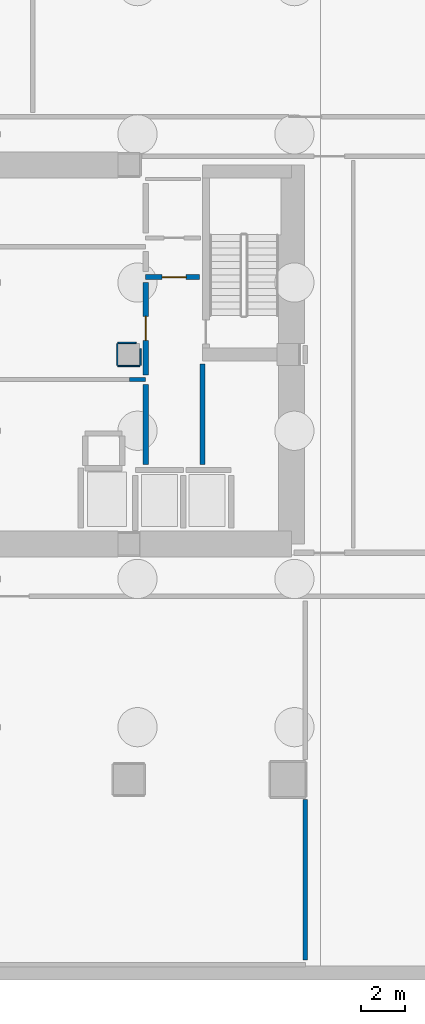
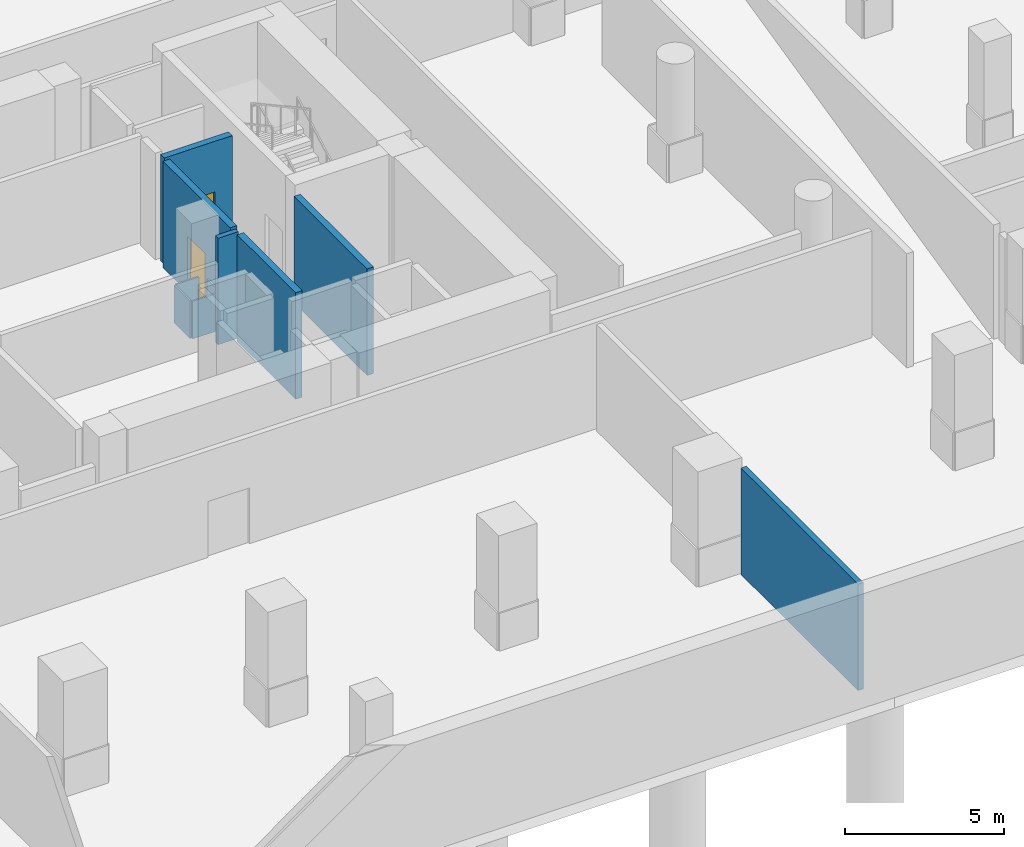
# One storey, part 4 of 13: 10 walls, 2 doors, 2 openings.
"""IFC4 building model written with IfcOpenShell, lengths in metres."""

from ifc_helpers import new_model, si_unit, direction, frame, frame_2d, origin, place, context, subcontext, project, spatial, rectangle, extrude, material, layer, layer_set, type_object, element, fill, save


model = new_model("IFC4")

# Units and contexts
model_context = context("Model", 3, precision=1e-05, world=origin(), true_north=direction((0.0, 1.0)))
body_context = subcontext(model_context, "Body", "Model", "MODEL_VIEW")
ifc_project = project(units=[si_unit("LENGTHUNIT", "METRE"), si_unit("AREAUNIT", "SQUARE_METRE"), si_unit("VOLUMEUNIT", "CUBIC_METRE"), si_unit("PLANEANGLEUNIT", "RADIAN"), si_unit("MASSUNIT", "GRAM", prefix="KILO")], contexts=[model_context])

# Site, building, storey
site_placement = place(None, origin())
site = spatial("IfcSite", under=ifc_project, at=site_placement, CompositionType="ELEMENT")
building_placement = place(site_placement, origin())
building = spatial("IfcBuilding", under=site, at=building_placement, Name="Solanera Arch Residences", CompositionType="ELEMENT")
storey_placement = place(building_placement, frame((0.0, 0.0, -13.199951171875)))
storey = spatial("IfcBuildingStorey", under=building, at=storey_placement, Name="B03", CompositionType="ELEMENT", Elevation=-13.199951171875)

# Walls
ifc_material_1 = material(Name="Fire-Rated Gypsum Stud Partition", Category="gypsum")
ifc_layer_1 = layer(ifc_material_1, 0.06005859375)
ifc_layer_set_1 = layer_set([ifc_layer_1], Name="Fire-Rated Gypsum Stud Partition")
wall_type_1 = type_object("IfcWallType", Name="Column Acoustic Furring Wall 60", PredefinedType="PARTITIONING", material=ifc_layer_set_1)
wall_1_placement = place(storey_placement, frame((28.699951171875, 30.16796875, 0.0), z_axis=(0.0, 0.0, 1.0), x_axis=(1.0, 0.0, 0.0)))
element("IfcWall", 1, at=wall_1_placement, inside=storey, type_object=wall_type_1, Name="B03 Column Furring 8S", PredefinedType="PARTITIONING", context=body_context, shape_type="SweptSolid", body=[
    extrude(rectangle(XDim=1.0, YDim=0.06005859375, at=frame_2d((0.5, 0.0))), origin(), (0.0, 0.0, 1.0), 1.449951171875),
])
wall_2_placement = place(storey_placement, frame((28.699951171875, 31.23193359375, 0.0), z_axis=(0.0, 0.0, 1.0), x_axis=(1.0, 0.0, 0.0)))
element("IfcWall", 2, at=wall_2_placement, inside=storey, type_object=wall_type_1, Name="B03 Column Furring 8N", PredefinedType="PARTITIONING", context=body_context, shape_type="SweptSolid", body=[
    extrude(rectangle(XDim=0.841064453125, YDim=0.06005859375, at=frame_2d((0.42041015625, 0.0))), origin(), (0.0, 0.0, 1.0), 1.449951171875),
])
wall_3_placement = place(storey_placement, frame((28.66796875, 30.199951171875, 0.0), z_axis=(0.0, 0.0, 1.0), x_axis=(0.0, 1.0, 0.0)))
element("IfcWall", 3, at=wall_3_placement, inside=storey, type_object=wall_type_1, Name="B03 Column Furring 8W", PredefinedType="PARTITIONING", context=body_context, shape_type="SweptSolid", body=[
    extrude(rectangle(XDim=1.0, YDim=0.06005859375, at=frame_2d((0.5, 0.0))), origin(), (0.0, 0.0, 1.0), 1.449951171875),
])
wall_4_placement = place(storey_placement, frame((29.73193359375, 30.199951171875, 0.0), z_axis=(0.0, 0.0, 1.0), x_axis=(0.0, 1.0, 0.0)))
element("IfcWall", 4, at=wall_4_placement, inside=storey, type_object=wall_type_1, Name="B03 Column Furring 8E", PredefinedType="PARTITIONING", context=body_context, shape_type="SweptSolid", body=[
    extrude(rectangle(XDim=0.77197265625, YDim=0.06005859375, at=frame_2d((0.385986328125, 0.0))), origin(), (0.0, 0.0, 1.0), 1.449951171875),
])
ifc_material_2 = material(Name="Autoclaved Aerated Concrete Blockwork", Category="masonry")
ifc_layer_2 = layer(ifc_material_2, 0.179931640625)
ifc_layer_set_2 = layer_set([ifc_layer_2], Name="Autoclaved Aerated Concrete Blockwork")
wall_type_2 = type_object("IfcWallType", Name="Corridor Fire Partition 180", PredefinedType="PARTITIONING", material=ifc_layer_set_2)
wall_5_placement = place(storey_placement, frame((29.239990234375, 29.550048828125, 0.0), z_axis=(0.0, 0.0, 1.0), x_axis=(1.0, 0.0, 0.0)))
element("IfcWall", 5, at=wall_5_placement, inside=storey, type_object=wall_type_2, Name="B03 Interior Partition H16 2", PredefinedType="PARTITIONING", context=body_context, shape_type="SweptSolid", body=[
    extrude(rectangle(XDim=0.735107421875, YDim=0.179931640625, at=frame_2d((0.36767578125, 0.0))), origin(), (0.0, 0.0, 1.0), 4.099853515625),
])
ifc_material_3 = material(Name="Autoclaved Aerated Concrete Blockwork", Category="masonry")
ifc_layer_3 = layer(ifc_material_3, 0.199951171875)
ifc_layer_set_3 = layer_set([ifc_layer_3], Name="Autoclaved Aerated Concrete Blockwork")
wall_type_3 = type_object("IfcWallType", Name="Party Wall Acoustic 200", PredefinedType="PARTITIONING", material=ifc_layer_set_3)
wall_6_placement = place(storey_placement, frame((37.300048828125, 2.907958984375, 0.0), z_axis=(0.0, 0.0, 1.0), x_axis=(0.0, 1.0, 0.0)))
element("IfcWall", 6, at=wall_6_placement, inside=storey, type_object=wall_type_3, Name="B03 Interior Partition V11 1", PredefinedType="PARTITIONING", context=body_context, shape_type="SweptSolid", body=[
    extrude(rectangle(XDim=7.380126953125, YDim=0.199951171875, at=frame_2d((3.68994140625, 0.0))), origin(), (0.0, 0.0, 1.0), 4.099853515625),
])

# Wall, opening, door
ifc_material_4 = material(Name="Autoclaved Aerated Concrete Blockwork", Category="masonry")
ifc_layer_4 = layer(ifc_material_4, 0.239990234375)
ifc_layer_set_4 = layer_set([ifc_layer_4], Name="Autoclaved Aerated Concrete Blockwork")
wall_type_4 = type_object("IfcWallType", Name="Shaft Wall Fire-Rated 240", PredefinedType="PARTITIONING", material=ifc_layer_set_4)
wall_7_placement = place(storey_placement, frame((29.97509765625, 34.25, 0.0), z_axis=(0.0, 0.0, 1.0), x_axis=(1.0, 0.0, 0.0)))
wall_7 = element("IfcWall", 7, at=wall_7_placement, inside=storey, type_object=wall_type_4, Name="B03 Interior Partition H6", PredefinedType="PARTITIONING", context=body_context, shape_type="SweptSolid", body=[
    extrude(rectangle(XDim=2.474853515625, YDim=0.239990234375, at=frame_2d((1.2373046875, 0.0))), origin(), (0.0, 0.0, 1.0), 4.099853515625),
])
opening_1_placement = place(wall_7_placement, frame((0.751953125, 0.0, 0.0)))
opening_1 = element("IfcOpeningElement", 8, at=opening_1_placement, cuts=wall_7, Name="Opening DF-02", PredefinedType="OPENING", context=body_context, shape_type="SweptSolid", body=[
    extrude(rectangle(XDim=1.10009765625, YDim=2.14990234375, at=frame_2d((0.550048828125, 1.074951171875))), frame((0.0, 0.1298828125, 0.0), z_axis=(0.0, -1.0, 0.0), x_axis=(1.0, 0.0, 0.0)), (0.0, 0.0, 1.0), 0.26),
])
ifc_material_5 = material(Name="Fire-Rated Architectural Hardwood", Category="wood")
door_type = type_object("IfcDoorType", Name="Firefighting Lobby Fire Door DF-02", OperationType="NOTDEFINED", PredefinedType="DOOR", material=ifc_material_5)
door_1_placement = place(opening_1_placement, origin())
door_1 = element("IfcDoor", 9, at=door_1_placement, inside=storey, type_object=door_type, Name="DR-B03-IN-008", OperationType="SINGLE_SWING_LEFT", OverallHeight=2.14990234375, OverallWidth=1.10009765625, PredefinedType="DOOR", context=body_context, shape_type="SweptSolid", body=[
    extrude(rectangle(XDim=1.10009765625, YDim=2.14990234375, at=frame_2d((0.550048828125, 1.074951171875))), frame((0.0, 0.02490234375, 0.0), z_axis=(0.0, -1.0, 0.0), x_axis=(1.0, 0.0, 0.0)), (0.0, 0.0, 1.0), 0.050048828125),
])
fill(opening_1, door_1)

# Wall
wall_8_placement = place(storey_placement, frame((29.97509765625, 25.64794921875, 0.0), z_axis=(0.0, 0.0, 1.0), x_axis=(0.0, 1.0, 0.0)))
element("IfcWall", 10, at=wall_8_placement, inside=storey, type_object=wall_type_4, Name="B03 Interior Partition V4 1", PredefinedType="PARTITIONING", context=body_context, shape_type="SweptSolid", body=[
    extrude(rectangle(XDim=3.68408203125, YDim=0.239990234375, at=frame_2d((1.842041015625, 0.0))), origin(), (0.0, 0.0, 1.0), 4.099853515625),
])

# Wall, opening, door
wall_9_placement = place(storey_placement, frame((29.97509765625, 29.76806640625, 0.0), z_axis=(0.0, 0.0, 1.0), x_axis=(0.0, 1.0, 0.0)))
wall_9 = element("IfcWall", 11, at=wall_9_placement, inside=storey, type_object=wall_type_4, Name="B03 Interior Partition V4 2", PredefinedType="PARTITIONING", context=body_context, shape_type="SweptSolid", body=[
    extrude(rectangle(XDim=4.23388671875, YDim=0.239990234375, at=frame_2d((2.116943359375, 0.0))), origin(), (0.0, 0.0, 1.0), 4.099853515625),
])
opening_2_placement = place(wall_9_placement, frame((1.58203125, 0.0, 0.0)))
opening_2 = element("IfcOpeningElement", 12, at=opening_2_placement, cuts=wall_9, Name="Opening DF-02", PredefinedType="OPENING", context=body_context, shape_type="SweptSolid", body=[
    extrude(rectangle(XDim=1.10009765625, YDim=2.14990234375, at=frame_2d((0.550048828125, 1.074951171875))), frame((0.0, 0.1298828125, 0.0), z_axis=(0.0, -1.0, 0.0), x_axis=(1.0, 0.0, 0.0)), (0.0, 0.0, 1.0), 0.26),
])
door_2_placement = place(opening_2_placement, origin())
door_2 = element("IfcDoor", 13, at=door_2_placement, inside=storey, type_object=door_type, Name="DR-B03-IN-007", OperationType="SINGLE_SWING_RIGHT", OverallHeight=2.14990234375, OverallWidth=1.10009765625, PredefinedType="DOOR", context=body_context, shape_type="SweptSolid", body=[
    extrude(rectangle(XDim=1.10009765625, YDim=2.14990234375, at=frame_2d((0.550048828125, 1.074951171875))), frame((0.0, 0.02490234375, 0.0), z_axis=(0.0, -1.0, 0.0), x_axis=(1.0, 0.0, 0.0)), (0.0, 0.0, 1.0), 0.050048828125),
])
fill(opening_2, door_2)

# Wall
wall_10_placement = place(storey_placement, frame((32.580078125, 25.64794921875, 0.0), z_axis=(0.0, 0.0, 1.0), x_axis=(0.0, 1.0, 0.0)))
element("IfcWall", 14, at=wall_10_placement, inside=storey, type_object=wall_type_4, Name="B03 Interior Partition V5", PredefinedType="PARTITIONING", context=body_context, shape_type="SweptSolid", body=[
    extrude(rectangle(XDim=4.6220703125, YDim=0.239990234375, at=frame_2d((2.31103515625, 0.0))), origin(), (0.0, 0.0, 1.0), 4.099853515625),
])

save(model, "model.ifc")
